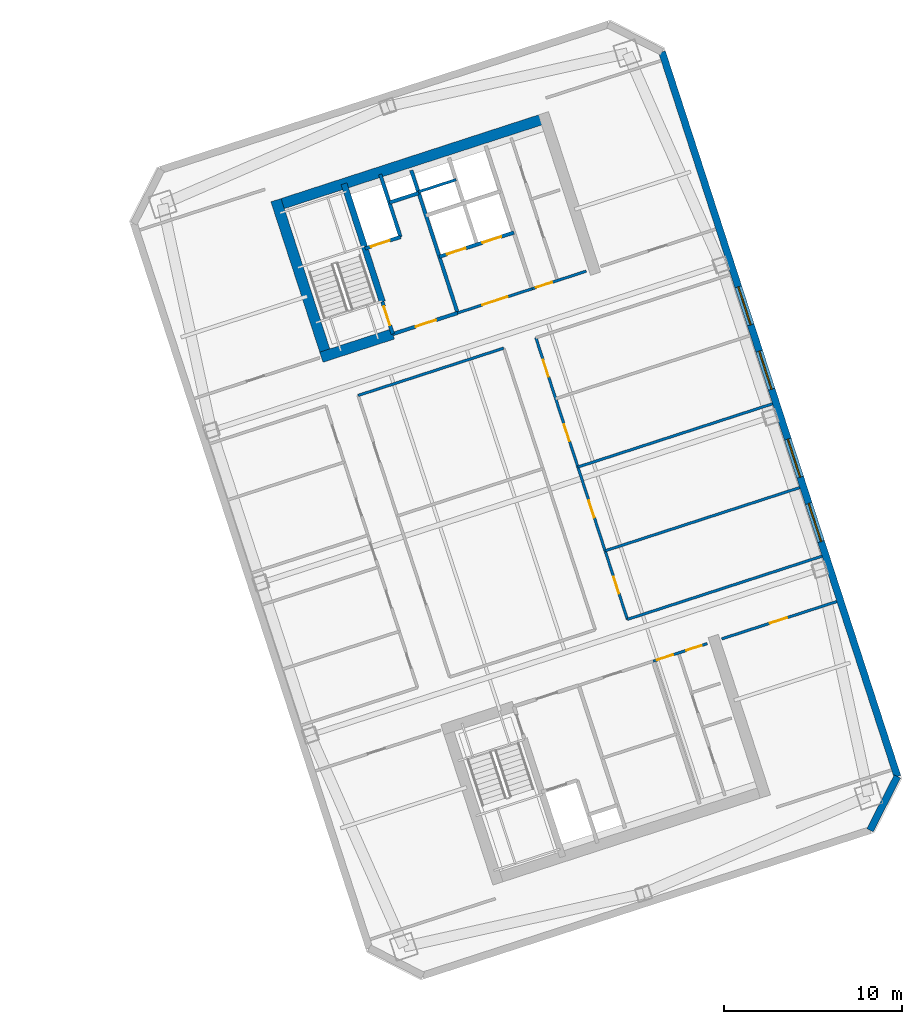
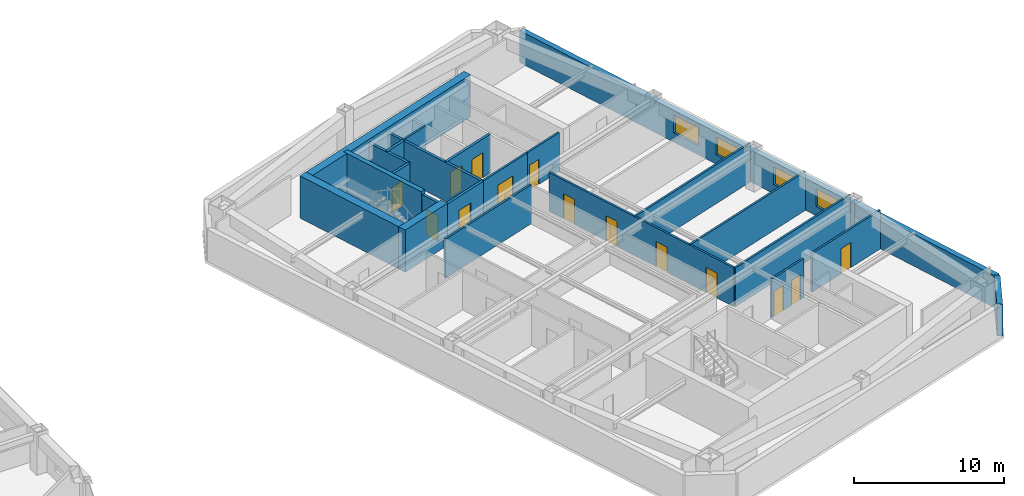
# One storey, part 9 of 13: 23 walls, 14 doors, 4 windows, 18 openings.
"""IFC4 building model written with IfcOpenShell, lengths in metres."""

from ifc_helpers import new_model, si_unit, direction, frame, frame_2d, origin, place, context, subcontext, project, spatial, rectangle, extrude, material, layer, layer_set, type_object, element, fill, save


model = new_model("IFC4")

# Units and contexts
model_context = context("Model", 3, precision=1e-05, world=origin(), true_north=direction((0.0, 1.0)))
body_context = subcontext(model_context, "Body", "Model", "MODEL_VIEW")
ifc_project = project(units=[si_unit("LENGTHUNIT", "METRE"), si_unit("AREAUNIT", "SQUARE_METRE"), si_unit("VOLUMEUNIT", "CUBIC_METRE"), si_unit("PLANEANGLEUNIT", "RADIAN"), si_unit("MASSUNIT", "GRAM", prefix="KILO")], contexts=[model_context])

# Site, building, storey
site_placement = place(None, origin())
site = spatial("IfcSite", under=ifc_project, at=site_placement, CompositionType="ELEMENT")
building_placement = place(site_placement, origin())
building = spatial("IfcBuilding", under=site, at=building_placement, Name="Qiaolan Cultural Towers", CompositionType="ELEMENT")
storey_placement = place(building_placement, frame((0.0, 0.0, 170.199951171875)))
storey = spatial("IfcBuildingStorey", under=building, at=storey_placement, Name="L45", CompositionType="ELEMENT", Elevation=170.199951171875)

# Walls
ifc_material_1 = material(Name="Concrete C50", Category="concrete")
ifc_layer_1 = layer(ifc_material_1, 0.35009765625)
ifc_layer_set_1 = layer_set([ifc_layer_1], Name="Concrete C50")
wall_type_1 = type_object("IfcWallType", Name="WL-CORE-350", PredefinedType="SHEAR", material=ifc_layer_set_1)
wall_1_placement = place(storey_placement, frame((82.513671875, 45.13134765625, 0.0), z_axis=(0.0, 0.0, 1.0), x_axis=(-0.308988790936, 0.951065679686, 0.0)))
element("IfcWall", 1, at=wall_1_placement, inside=storey, type_object=wall_type_1, Name="L45 T2-CN Stair Core Dividing Web", PredefinedType="SHEAR", context=body_context, shape_type="SweptSolid", body=[
    extrude(rectangle(XDim=6.97998046875, YDim=0.35009765625, at=frame_2d((3.489990234375, 0.0))), origin(), (0.0, 0.0, 1.0), 3.449951171875),
])
ifc_material_2 = material(Name="Concrete C55", Category="concrete")
ifc_layer_2 = layer(ifc_material_2, 0.60009765625)
ifc_layer_set_2 = layer_set([ifc_layer_2], Name="Concrete C55")
wall_type_2 = type_object("IfcWallType", Name="WL-CORE-600", PredefinedType="SHEAR", material=ifc_layer_set_2)
wall_2_placement = place(storey_placement, frame((76.343505859375, 50.4658203125, 0.0), z_axis=(0.0, 0.0, 1.0), x_axis=(0.951055727519, 0.309019421968, 0.0)))
element("IfcWall", 2, at=wall_2_placement, inside=storey, type_object=wall_type_2, Name="L45 T2-CN Outer Core Shear Wall", PredefinedType="SHEAR", context=body_context, shape_type="SweptSolid", body=[
    extrude(rectangle(XDim=16.39990234375, YDim=0.60009765625, at=frame_2d((8.199951171875, 0.0))), origin(), (0.0, 0.0, 1.0), 3.449951171875),
])
wall_3_placement = place(storey_placement, frame((79.465576171875, 41.827880859375, 0.0), z_axis=(0.0, 0.0, 1.0), x_axis=(-0.309041232772, 0.951048640421, 0.0)))
element("IfcWall", 3, at=wall_3_placement, inside=storey, type_object=wall_type_2, Name="L45 T2-CN West Core Shear Wall", PredefinedType="SHEAR", context=body_context, shape_type="SweptSolid", body=[
    extrude(rectangle(XDim=9.47998046875, YDim=0.60009765625, at=frame_2d((4.739990234375, 0.0))), origin(), (0.0, 0.0, 1.0), 3.449951171875),
])
wall_4_placement = place(storey_placement, frame((79.08740234375, 42.0205078125, 0.0), z_axis=(0.0, 0.0, 1.0), x_axis=(0.951062550203, 0.3089984233, 0.0)))
element("IfcWall", 4, at=wall_4_placement, inside=storey, type_object=wall_type_2, Name="L45 T2-CN Stair Front Shear Wall", PredefinedType="SHEAR", context=body_context, shape_type="SweptSolid", body=[
    extrude(rectangle(XDim=4.219970703125, YDim=0.60009765625, at=frame_2d((2.10986328125, 0.0))), origin(), (0.0, 0.0, 1.0), 3.449951171875),
])

# Wall, openings, windows
ifc_material_3 = material(Name="Precast Concrete C50 Honed Stone Pier", Category="masonry")
ifc_layer_3 = layer(ifc_material_3, 0.39990234375)
ifc_layer_set_3 = layer_set([ifc_layer_3], Name="Precast Concrete C50 Honed Stone Pier")
wall_type_3 = type_object("IfcWallType", Name="WL-EXT-PIER-400", PredefinedType="SOLIDWALL", material=ifc_layer_set_3)
wall_5_placement = place(storey_placement, frame((98.2236328125, 59.17333984375, 0.0), z_axis=(0.0, 0.0, 1.0), x_axis=(0.309014228706, -0.951057414911, 0.0)))
wall_5 = element("IfcWall", 5, at=wall_5_placement, inside=storey, type_object=wall_type_3, Name="L45 East Tower Precast Pier Facade Wall F5", PredefinedType="SOLIDWALL", context=body_context, shape_type="SweptSolid", body=[
    extrude(rectangle(XDim=42.800048828125, YDim=0.39990234375, at=frame_2d((21.39990234375, 0.0))), origin(), (0.0, 0.0, 1.0), 2.610107421875),
])
opening_1_placement = place(wall_5_placement, frame((26.675048828125, 0.0, 0.75)))
opening_1 = element("IfcOpeningElement", 6, at=opening_1_placement, cuts=wall_5, Name="Opening W-03", PredefinedType="OPENING", context=body_context, shape_type="SweptSolid", body=[
    extrude(rectangle(XDim=2.25, YDim=1.4599609375, at=frame_2d((1.125, 0.72998046875))), frame((0.0, 0.2099609375, 0.0), z_axis=(0.0, -1.0, 0.0), x_axis=(1.0, 0.0, 0.0)), (0.0, 0.0, 1.0), 0.419921875),
])
opening_2_placement = place(wall_5_placement, frame((22.875, 0.0, 0.75)))
opening_2 = element("IfcOpeningElement", 7, at=opening_2_placement, cuts=wall_5, Name="Opening W-03", PredefinedType="OPENING", context=body_context, shape_type="SweptSolid", body=[
    extrude(rectangle(XDim=2.25, YDim=1.4599609375, at=frame_2d((1.125, 0.72998046875))), frame((0.0, 0.2099609375, 0.0), z_axis=(0.0, -1.0, 0.0), x_axis=(1.0, 0.0, 0.0)), (0.0, 0.0, 1.0), 0.419921875),
])
opening_3_placement = place(wall_5_placement, frame((17.675048828125, 0.0, 0.75)))
opening_3 = element("IfcOpeningElement", 8, at=opening_3_placement, cuts=wall_5, Name="Opening W-03", PredefinedType="OPENING", context=body_context, shape_type="SweptSolid", body=[
    extrude(rectangle(XDim=2.25, YDim=1.4599609375, at=frame_2d((1.125, 0.72998046875))), frame((0.0, 0.2099609375, 0.0), z_axis=(0.0, -1.0, 0.0), x_axis=(1.0, 0.0, 0.0)), (0.0, 0.0, 1.0), 0.419921875),
])
opening_4_placement = place(wall_5_placement, frame((13.875, 0.0, 0.75)))
opening_4 = element("IfcOpeningElement", 9, at=opening_4_placement, cuts=wall_5, Name="Opening W-03", PredefinedType="OPENING", context=body_context, shape_type="SweptSolid", body=[
    extrude(rectangle(XDim=2.25, YDim=1.4599609375, at=frame_2d((1.125, 0.72998046875))), frame((0.0, 0.2099609375, 0.0), z_axis=(0.0, -1.0, 0.0), x_axis=(1.0, 0.0, 0.0)), (0.0, 0.0, 1.0), 0.419921875),
])
ifc_material_4 = material(Name="Thermally Broken Aluminium Triple Low-E Glazing", Category="aluminium")
window_type = type_object("IfcWindowType", Name="WN-CHIC-2250", PartitioningType="SINGLE_PANEL", PredefinedType="WINDOW", material=ifc_material_4)
window_1_placement = place(opening_1_placement, origin())
window_1 = element("IfcWindow", 10, at=window_1_placement, inside=storey, type_object=window_type, Name="L45 T2 E Chicago Bay Window 1", OverallHeight=1.4599609375, OverallWidth=2.25, PartitioningType="TRIPLE_PANEL_VERTICAL", PredefinedType="WINDOW", context=body_context, shape_type="SweptSolid", body=[
    extrude(rectangle(XDim=2.25, YDim=1.4599609375, at=frame_2d((1.125, 0.72998046875))), frame((0.0, 0.030029296875, 0.0), z_axis=(0.0, -1.0, 0.0), x_axis=(1.0, 0.0, 0.0)), (0.0, 0.0, 1.0), 0.06005859375),
])
fill(opening_1, window_1)
window_2_placement = place(opening_2_placement, origin())
window_2 = element("IfcWindow", 11, at=window_2_placement, inside=storey, type_object=window_type, Name="L45 T2 E Chicago Bay Window 2", OverallHeight=1.4599609375, OverallWidth=2.25, PartitioningType="TRIPLE_PANEL_VERTICAL", PredefinedType="WINDOW", context=body_context, shape_type="SweptSolid", body=[
    extrude(rectangle(XDim=2.25, YDim=1.4599609375, at=frame_2d((1.125, 0.72998046875))), frame((0.0, 0.030029296875, 0.0), z_axis=(0.0, -1.0, 0.0), x_axis=(1.0, 0.0, 0.0)), (0.0, 0.0, 1.0), 0.06005859375),
])
fill(opening_2, window_2)
window_3_placement = place(opening_3_placement, origin())
window_3 = element("IfcWindow", 12, at=window_3_placement, inside=storey, type_object=window_type, Name="L45 T2 E Chicago Bay Window 3", OverallHeight=1.4599609375, OverallWidth=2.25, PartitioningType="TRIPLE_PANEL_VERTICAL", PredefinedType="WINDOW", context=body_context, shape_type="SweptSolid", body=[
    extrude(rectangle(XDim=2.25, YDim=1.4599609375, at=frame_2d((1.125, 0.72998046875))), frame((0.0, 0.030029296875, 0.0), z_axis=(0.0, -1.0, 0.0), x_axis=(1.0, 0.0, 0.0)), (0.0, 0.0, 1.0), 0.06005859375),
])
fill(opening_3, window_3)
window_4_placement = place(opening_4_placement, origin())
window_4 = element("IfcWindow", 13, at=window_4_placement, inside=storey, type_object=window_type, Name="L45 T2 E Chicago Bay Window 4", OverallHeight=1.4599609375, OverallWidth=2.25, PartitioningType="TRIPLE_PANEL_VERTICAL", PredefinedType="WINDOW", context=body_context, shape_type="SweptSolid", body=[
    extrude(rectangle(XDim=2.25, YDim=1.4599609375, at=frame_2d((1.125, 0.72998046875))), frame((0.0, 0.030029296875, 0.0), z_axis=(0.0, -1.0, 0.0), x_axis=(1.0, 0.0, 0.0)), (0.0, 0.0, 1.0), 0.06005859375),
])
fill(opening_4, window_4)

# Wall
wall_6_placement = place(storey_placement, frame((111.449462890625, 18.468017578125, 0.0), z_axis=(0.0, 0.0, 1.0), x_axis=(-0.454019523198, -0.890991735402, 0.0)))
element("IfcWall", 14, at=wall_6_placement, inside=storey, type_object=wall_type_3, Name="L45 East Tower Precast Pier Facade Wall F6", PredefinedType="SOLIDWALL", context=body_context, shape_type="SweptSolid", body=[
    extrude(rectangle(XDim=3.39404296875, YDim=0.39990234375, at=frame_2d((1.697021484375, 0.0))), origin(), (0.0, 0.0, 1.0), 2.610107421875),
])

# Wall, opening, door
ifc_material_5 = material(Name="Concrete C35 Fire Wall", Category="concrete")
ifc_layer_4 = layer(ifc_material_5, 0.199951171875)
ifc_layer_set_4 = layer_set([ifc_layer_4], Name="Concrete C35 Fire Wall")
wall_type_4 = type_object("IfcWallType", Name="WL-FIRE-200", PredefinedType="PARTITIONING", material=ifc_layer_set_4)
wall_7_placement = place(storey_placement, frame((83.100830078125, 43.324462890625, 0.0), z_axis=(0.0, 0.0, 1.0), x_axis=(-0.309048298632, 0.951046344356, 0.0)))
wall_7 = element("IfcWall", 15, at=wall_7_placement, inside=storey, type_object=wall_type_4, Name="L45 T2-CN Smokeproof Stair Entry Wall", PredefinedType="PARTITIONING", context=body_context, shape_type="SweptSolid", body=[
    extrude(rectangle(XDim=1.89990234375, YDim=0.199951171875, at=frame_2d((0.949951171875, 0.0))), origin(), (0.0, 0.0, 1.0), 3.175048828125),
])
opening_5_placement = place(wall_7_placement, frame((0.52001953125, 0.0, 0.0)))
opening_5 = element("IfcOpeningElement", 16, at=opening_5_placement, cuts=wall_7, Name="Opening FD-04", PredefinedType="OPENING", context=body_context, shape_type="SweptSolid", body=[
    extrude(rectangle(XDim=1.10009765625, YDim=2.050048828125, at=frame_2d((0.550048828125, 1.02490234375))), frame((0.0, 0.10986328125, 0.0), z_axis=(0.0, -1.0, 0.0), x_axis=(1.0, 0.0, 0.0)), (0.0, 0.0, 1.0), 0.219970703125),
])
ifc_material_6 = material(Name="Galvanized Steel Command Fire Door", Category="steel")
door_type_1 = type_object("IfcDoorType", Name="DR-FD90-1100", OperationType="NOTDEFINED", PredefinedType="DOOR", material=ifc_material_6)
door_1_placement = place(opening_5_placement, origin())
door_1 = element("IfcDoor", 17, at=door_1_placement, inside=storey, type_object=door_type_1, Name="L45 ST-E2 Smokeproof Stair Fire Door", OperationType="SINGLE_SWING_LEFT", OverallHeight=2.050048828125, OverallWidth=1.10009765625, PredefinedType="DOOR", context=body_context, shape_type="SweptSolid", body=[
    extrude(rectangle(XDim=1.10009765625, YDim=2.050048828125, at=frame_2d((0.550048828125, 1.02490234375))), frame((0.0, 0.02490234375, 0.0), z_axis=(0.0, -1.0, 0.0), x_axis=(1.0, 0.0, 0.0)), (0.0, 0.0, 1.0), 0.050048828125),
])
fill(opening_5, door_1)

# Wall
wall_8_placement = place(storey_placement, frame((86.743408203125, 44.508056640625, 0.0), z_axis=(0.0, 0.0, 1.0), x_axis=(-0.309016001439, 0.951056838919, 0.0)))
element("IfcWall", 18, at=wall_8_placement, inside=storey, type_object=wall_type_4, Name="L45 T2-CN Firefighting Zone Wall", PredefinedType="PARTITIONING", context=body_context, shape_type="SweptSolid", body=[
    extrude(rectangle(XDim=8.429931640625, YDim=0.199951171875, at=frame_2d((4.21484375, 0.0))), origin(), (0.0, 0.0, 1.0), 3.175048828125),
])

# Wall, opening, door
wall_9_placement = place(storey_placement, frame((83.100830078125, 43.324462890625, 0.0), z_axis=(0.0, 0.0, 1.0), x_axis=(0.951052804469, 0.309028417967, 0.0)))
wall_9 = element("IfcWall", 19, at=wall_9_placement, inside=storey, type_object=wall_type_4, Name="L45 T2-CN Firefighting Lobby Front Wall", PredefinedType="PARTITIONING", context=body_context, shape_type="SweptSolid", body=[
    extrude(rectangle(XDim=3.830078125, YDim=0.199951171875, at=frame_2d((1.9150390625, 0.0))), origin(), (0.0, 0.0, 1.0), 3.175048828125),
])
opening_6_placement = place(wall_9_placement, frame((1.35009765625, 0.0, 0.0)))
opening_6 = element("IfcOpeningElement", 20, at=opening_6_placement, cuts=wall_9, Name="Opening FD-03", PredefinedType="OPENING", context=body_context, shape_type="SweptSolid", body=[
    extrude(rectangle(XDim=1.199951171875, YDim=2.050048828125, at=frame_2d((0.60009765625, 1.02490234375))), frame((0.0, 0.10986328125, 0.0), z_axis=(0.0, -1.0, 0.0), x_axis=(1.0, 0.0, 0.0)), (0.0, 0.0, 1.0), 0.219970703125),
])
ifc_material_7 = material(Name="Galvanized Steel Smokeproof Lobby Fire Door", Category="steel")
door_type_2 = type_object("IfcDoorType", Name="DR-FD90-1200", OperationType="NOTDEFINED", PredefinedType="DOOR", material=ifc_material_7)
door_2_placement = place(opening_6_placement, origin())
door_2 = element("IfcDoor", 21, at=door_2_placement, inside=storey, type_object=door_type_2, Name="L45 FFL-E2 Firefighting Lobby Fire Door", OperationType="SINGLE_SWING_LEFT", OverallHeight=2.050048828125, OverallWidth=1.199951171875, PredefinedType="DOOR", context=body_context, shape_type="SweptSolid", body=[
    extrude(rectangle(XDim=1.199951171875, YDim=2.050048828125, at=frame_2d((0.60009765625, 1.02490234375))), frame((0.0, 0.02490234375, 0.0), z_axis=(0.0, -1.0, 0.0), x_axis=(1.0, 0.0, 0.0)), (0.0, 0.0, 1.0), 0.050048828125),
])
fill(opening_6, door_2)

wall_10_placement = place(storey_placement, frame((81.540283203125, 48.127197265625, 0.0), z_axis=(0.0, 0.0, 1.0), x_axis=(0.951062257173, 0.308999325213, 0.0)))
wall_10 = element("IfcWall", 22, at=wall_10_placement, inside=storey, type_object=wall_type_4, Name="L45 T2-CN Firefighting Shaft Front Wall", PredefinedType="PARTITIONING", context=body_context, shape_type="SweptSolid", body=[
    extrude(rectangle(XDim=2.10009765625, YDim=0.199951171875, at=frame_2d((1.050048828125, 0.0))), origin(), (0.0, 0.0, 1.0), 3.175048828125),
])
opening_7_placement = place(wall_10_placement, frame((0.35009765625, 0.0, 0.0)))
opening_7 = element("IfcOpeningElement", 23, at=opening_7_placement, cuts=wall_10, Name="Opening LD-01", PredefinedType="OPENING", context=body_context, shape_type="SweptSolid", body=[
    extrude(rectangle(XDim=1.10009765625, YDim=2.050048828125, at=frame_2d((0.550048828125, 1.02490234375))), frame((0.0, 0.10986328125, 0.0), z_axis=(0.0, -1.0, 0.0), x_axis=(1.0, 0.0, 0.0)), (0.0, 0.0, 1.0), 0.219970703125),
])
ifc_material_8 = material(Name="Brushed Stainless Steel S30408 Centre-Parting Lift Landing Door", Category="steel")
door_type_3 = type_object("IfcDoorType", Name="DR-LIFT-1100", OperationType="NOTDEFINED", PredefinedType="DOOR", material=ifc_material_8)
door_3_placement = place(opening_7_placement, origin())
door_3 = element("IfcDoor", 24, at=door_3_placement, inside=storey, type_object=door_type_3, Name="L45 FFL-E2 Firefighting Lift Landing Door", OperationType="DOUBLE_DOOR_SLIDING", OverallHeight=2.050048828125, OverallWidth=1.10009765625, PredefinedType="DOOR", context=body_context, shape_type="SweptSolid", body=[
    extrude(rectangle(XDim=1.10009765625, YDim=2.050048828125, at=frame_2d((0.550048828125, 1.02490234375))), frame((0.0, 0.02490234375, 0.0), z_axis=(0.0, -1.0, 0.0), x_axis=(1.0, 0.0, 0.0)), (0.0, 0.0, 1.0), 0.050048828125),
])
fill(opening_7, door_3)

# Walls
wall_11_placement = place(storey_placement, frame((83.53759765625, 48.776123046875, 0.0), z_axis=(0.0, 0.0, 1.0), x_axis=(-0.3089935693, 0.951064127245, 0.0)))
element("IfcWall", 25, at=wall_11_placement, inside=storey, type_object=wall_type_4, Name="L45 T2-CN Firefighting Hoistway East Wall", PredefinedType="PARTITIONING", context=body_context, shape_type="SweptSolid", body=[
    extrude(rectangle(XDim=3.7001953125, YDim=0.199951171875, at=frame_2d((1.85009765625, 0.0))), origin(), (0.0, 0.0, 1.0), 3.175048828125),
])
wall_12_placement = place(storey_placement, frame((82.910400390625, 50.706787109375, 0.0), z_axis=(0.0, 0.0, 1.0), x_axis=(0.951041328149, 0.309063734775, 0.0)))
element("IfcWall", 26, at=wall_12_placement, inside=storey, type_object=wall_type_4, Name="L45 T2-CN Pressurization Shaft Front Wall", PredefinedType="PARTITIONING", context=body_context, shape_type="SweptSolid", body=[
    extrude(rectangle(XDim=1.72998046875, YDim=0.199951171875, at=frame_2d((0.864990234375, 0.0))), origin(), (0.0, 0.0, 1.0), 3.175048828125),
])

# Wall, openings, doors
wall_13_placement = place(storey_placement, frame((85.717529296875, 47.66552734375, 0.0), z_axis=(0.0, 0.0, 1.0), x_axis=(0.951058531764, 0.30901079133, 0.0)))
wall_13 = element("IfcWall", 27, at=wall_13_placement, inside=storey, type_object=wall_type_4, Name="L45 T2-CN Passenger Lift Shaft Front Wall", PredefinedType="PARTITIONING", context=body_context, shape_type="SweptSolid", body=[
    extrude(rectangle(XDim=4.39990234375, YDim=0.199951171875, at=frame_2d((2.199951171875, 0.0))), origin(), (0.0, 0.0, 1.0), 3.175048828125),
])
opening_8_placement = place(wall_13_placement, frame((0.449951171875, 0.0, 0.0)))
opening_8 = element("IfcOpeningElement", 28, at=opening_8_placement, cuts=wall_13, Name="Opening LD-01", PredefinedType="OPENING", context=body_context, shape_type="SweptSolid", body=[
    extrude(rectangle(XDim=1.10009765625, YDim=2.050048828125, at=frame_2d((0.550048828125, 1.02490234375))), frame((0.0, 0.10986328125, 0.0), z_axis=(0.0, -1.0, 0.0), x_axis=(1.0, 0.0, 0.0)), (0.0, 0.0, 1.0), 0.219970703125),
])
opening_9_placement = place(wall_13_placement, frame((2.550048828125, 0.0, 0.0)))
opening_9 = element("IfcOpeningElement", 29, at=opening_9_placement, cuts=wall_13, Name="Opening LD-01", PredefinedType="OPENING", context=body_context, shape_type="SweptSolid", body=[
    extrude(rectangle(XDim=1.10009765625, YDim=2.050048828125, at=frame_2d((0.550048828125, 1.02490234375))), frame((0.0, 0.10986328125, 0.0), z_axis=(0.0, -1.0, 0.0), x_axis=(1.0, 0.0, 0.0)), (0.0, 0.0, 1.0), 0.219970703125),
])
door_4_placement = place(opening_8_placement, origin())
door_4 = element("IfcDoor", 30, at=door_4_placement, inside=storey, type_object=door_type_3, Name="L45 Passenger Lift 1 Landing Door", OperationType="DOUBLE_DOOR_SLIDING", OverallHeight=2.050048828125, OverallWidth=1.10009765625, PredefinedType="DOOR", context=body_context, shape_type="SweptSolid", body=[
    extrude(rectangle(XDim=1.10009765625, YDim=2.050048828125, at=frame_2d((0.550048828125, 1.02490234375))), frame((0.0, 0.02490234375, 0.0), z_axis=(0.0, -1.0, 0.0), x_axis=(1.0, 0.0, 0.0)), (0.0, 0.0, 1.0), 0.050048828125),
])
fill(opening_8, door_4)
door_5_placement = place(opening_9_placement, origin())
door_5 = element("IfcDoor", 31, at=door_5_placement, inside=storey, type_object=door_type_3, Name="L45 Passenger Lift 2 Landing Door", OperationType="DOUBLE_DOOR_SLIDING", OverallHeight=2.050048828125, OverallWidth=1.10009765625, PredefinedType="DOOR", context=body_context, shape_type="SweptSolid", body=[
    extrude(rectangle(XDim=1.10009765625, YDim=2.050048828125, at=frame_2d((0.550048828125, 1.02490234375))), frame((0.0, 0.02490234375, 0.0), z_axis=(0.0, -1.0, 0.0), x_axis=(1.0, 0.0, 0.0)), (0.0, 0.0, 1.0), 0.050048828125),
])
fill(opening_9, door_5)

ifc_material_9 = material(Name="Autoclaved Aerated Concrete Block B06", Category="concrete")
ifc_layer_5 = layer(ifc_material_9, 0.14990234375)
ifc_layer_set_5 = layer_set([ifc_layer_5], Name="Autoclaved Aerated Concrete Block B06")
wall_type_5 = type_object("IfcWallType", Name="WL-PART-150", PredefinedType="PARTITIONING", material=ifc_layer_set_5)
wall_14_placement = place(storey_placement, frame((97.7265625, 24.9443359375, 0.0), z_axis=(0.0, 0.0, 1.0), x_axis=(0.951036872128, 0.309077446369, 0.0)))
wall_14 = element("IfcWall", 32, at=wall_14_placement, inside=storey, type_object=wall_type_5, Name="L45 T2-CS Sanitary Core Front Wall", PredefinedType="PARTITIONING", context=body_context, shape_type="SweptSolid", body=[
    extrude(rectangle(XDim=3.199951171875, YDim=0.14990234375, at=frame_2d((1.60009765625, 0.0))), origin(), (0.0, 0.0, 1.0), 3.175048828125),
])
opening_10_placement = place(wall_14_placement, frame((0.219970703125, 0.0, 0.0)))
opening_10 = element("IfcOpeningElement", 33, at=opening_10_placement, cuts=wall_14, Name="Opening ID-05", PredefinedType="OPENING", context=body_context, shape_type="SweptSolid", body=[
    extrude(rectangle(XDim=0.949951171875, YDim=2.050048828125, at=frame_2d((0.47509765625, 1.02490234375))), frame((0.0, 0.0849609375, 0.0), z_axis=(0.0, -1.0, 0.0), x_axis=(1.0, 0.0, 0.0)), (0.0, 0.0, 1.0), 0.169921875),
])
opening_11_placement = place(wall_14_placement, frame((1.949951171875, 0.0, 0.0)))
opening_11 = element("IfcOpeningElement", 34, at=opening_11_placement, cuts=wall_14, Name="Opening ID-06", PredefinedType="OPENING", context=body_context, shape_type="SweptSolid", body=[
    extrude(rectangle(XDim=0.89990234375, YDim=2.050048828125, at=frame_2d((0.449951171875, 1.02490234375))), frame((0.0, 0.0849609375, 0.0), z_axis=(0.0, -1.0, 0.0), x_axis=(1.0, 0.0, 0.0)), (0.0, 0.0, 1.0), 0.169921875),
])
ifc_material_10 = material(Name="Fire-Rated Laminate Core Service Door", Category="timber")
door_type_4 = type_object("IfcDoorType", Name="DR-INT-900", OperationType="NOTDEFINED", PredefinedType="DOOR", material=ifc_material_10)
door_6_placement = place(opening_11_placement, origin())
door_6 = element("IfcDoor", 35, at=door_6_placement, inside=storey, type_object=door_type_4, Name="L45 Core Tea Pantry Door", OperationType="SINGLE_SWING_RIGHT", OverallHeight=2.050048828125, OverallWidth=0.89990234375, PredefinedType="DOOR", context=body_context, shape_type="SweptSolid", body=[
    extrude(rectangle(XDim=0.89990234375, YDim=2.050048828125, at=frame_2d((0.449951171875, 1.02490234375))), frame((0.0, 0.02490234375, 0.0), z_axis=(0.0, -1.0, 0.0), x_axis=(1.0, 0.0, 0.0)), (0.0, 0.0, 1.0), 0.050048828125),
])
fill(opening_11, door_6)
ifc_material_11 = material(Name="Fire-Rated Laminate Accessible Core Door", Category="timber")
door_type_5 = type_object("IfcDoorType", Name="DR-INT-950", OperationType="NOTDEFINED", PredefinedType="DOOR", material=ifc_material_11)
door_7_placement = place(opening_10_placement, origin())
door_7 = element("IfcDoor", 36, at=door_7_placement, inside=storey, type_object=door_type_5, Name="L45 Sanitary Passage Door", OperationType="SINGLE_SWING_LEFT", OverallHeight=2.050048828125, OverallWidth=0.949951171875, PredefinedType="DOOR", context=body_context, shape_type="SweptSolid", body=[
    extrude(rectangle(XDim=0.949951171875, YDim=2.050048828125, at=frame_2d((0.47509765625, 1.02490234375))), frame((0.0, 0.02490234375, 0.0), z_axis=(0.0, -1.0, 0.0), x_axis=(1.0, 0.0, 0.0)), (0.0, 0.0, 1.0), 0.050048828125),
])
fill(opening_10, door_7)

# Wall, opening, door
wall_15_placement = place(storey_placement, frame((86.743408203125, 44.508056640625, 0.0), z_axis=(0.0, 0.0, 1.0), x_axis=(0.951063829732, 0.308994485023, 0.0)))
wall_15 = element("IfcWall", 37, at=wall_15_placement, inside=storey, type_object=wall_type_5, Name="L45 T2-CN Passenger Lift Lobby Front Wall", PredefinedType="PARTITIONING", context=body_context, shape_type="SweptSolid", body=[
    extrude(rectangle(XDim=4.400146484375, YDim=0.14990234375, at=frame_2d((2.2001953125, 0.0))), origin(), (0.0, 0.0, 1.0), 3.175048828125),
])
opening_12_placement = place(wall_15_placement, frame((1.449951171875, 0.0, 0.0)))
opening_12 = element("IfcOpeningElement", 38, at=opening_12_placement, cuts=wall_15, Name="Opening FD-05", PredefinedType="OPENING", context=body_context, shape_type="SweptSolid", body=[
    extrude(rectangle(XDim=1.5, YDim=2.050048828125, at=frame_2d((0.75, 1.02490234375))), frame((0.0, 0.0849609375, 0.0), z_axis=(0.0, -1.0, 0.0), x_axis=(1.0, 0.0, 0.0)), (0.0, 0.0, 1.0), 0.169921875),
])
ifc_material_12 = material(Name="Painted Steel Lift Lobby Fire Door", Category="steel")
door_type_6 = type_object("IfcDoorType", Name="DR-FD60-1500", OperationType="NOTDEFINED", PredefinedType="DOOR", material=ifc_material_12)
door_8_placement = place(opening_12_placement, origin())
door_8 = element("IfcDoor", 39, at=door_8_placement, inside=storey, type_object=door_type_6, Name="L45 Passenger Lift Lobby Entrance", OperationType="SINGLE_SWING_LEFT", OverallHeight=2.050048828125, OverallWidth=1.5, PredefinedType="DOOR", context=body_context, shape_type="SweptSolid", body=[
    extrude(rectangle(XDim=1.5, YDim=2.050048828125, at=frame_2d((0.75, 1.02490234375))), frame((0.0, 0.02490234375, 0.0), z_axis=(0.0, -1.0, 0.0), x_axis=(1.0, 0.0, 0.0)), (0.0, 0.0, 1.0), 0.050048828125),
])
fill(opening_12, door_8)

# Wall
wall_16_placement = place(storey_placement, frame((84.533935546875, 51.30810546875, 0.0), z_axis=(0.0, 0.0, 1.0), x_axis=(0.951075093106, 0.308959814982, 0.0)))
element("IfcWall", 40, at=wall_16_placement, inside=storey, type_object=wall_type_5, Name="L45 T2-CN Core Rear Riser Split", PredefinedType="PARTITIONING", context=body_context, shape_type="SweptSolid", body=[
    extrude(rectangle(XDim=2.22998046875, YDim=0.14990234375, at=frame_2d((1.114990234375, 0.0))), origin(), (0.0, 0.0, 1.0), 3.175048828125),
])

# Wall, opening, door
wall_17_placement = place(storey_placement, frame((90.92822265625, 45.86767578125, 0.0), z_axis=(0.0, 0.0, 1.0), x_axis=(0.951059297078, 0.309008435874, 0.0)))
wall_17 = element("IfcWall", 41, at=wall_17_placement, inside=storey, type_object=wall_type_5, Name="L45 T2-CN Sanitary Core Front Wall", PredefinedType="PARTITIONING", context=body_context, shape_type="SweptSolid", body=[
    extrude(rectangle(XDim=3.19970703125, YDim=0.14990234375, at=frame_2d((1.599853515625, 0.0))), origin(), (0.0, 0.0, 1.0), 3.175048828125),
])
opening_13_placement = place(wall_17_placement, frame((0.219970703125, 0.0, 0.0)))
opening_13 = element("IfcOpeningElement", 42, at=opening_13_placement, cuts=wall_17, Name="Opening ID-05", PredefinedType="OPENING", context=body_context, shape_type="SweptSolid", body=[
    extrude(rectangle(XDim=0.949951171875, YDim=2.050048828125, at=frame_2d((0.47509765625, 1.02490234375))), frame((0.0, 0.0849609375, 0.0), z_axis=(0.0, -1.0, 0.0), x_axis=(1.0, 0.0, 0.0)), (0.0, 0.0, 1.0), 0.169921875),
])
door_9_placement = place(opening_13_placement, origin())
door_9 = element("IfcDoor", 43, at=door_9_placement, inside=storey, type_object=door_type_5, Name="L45 Sanitary Lobby Door", OperationType="SINGLE_SWING_LEFT", OverallHeight=2.050048828125, OverallWidth=0.949951171875, PredefinedType="DOOR", context=body_context, shape_type="SweptSolid", body=[
    extrude(rectangle(XDim=0.949951171875, YDim=2.050048828125, at=frame_2d((0.47509765625, 1.02490234375))), frame((0.0, 0.02490234375, 0.0), z_axis=(0.0, -1.0, 0.0), x_axis=(1.0, 0.0, 0.0)), (0.0, 0.0, 1.0), 0.050048828125),
])
fill(opening_13, door_9)

wall_18_placement = place(storey_placement, frame((101.578369140625, 26.196044921875, 0.0), z_axis=(0.0, 0.0, 1.0), x_axis=(0.951064934653, 0.308991084134, 0.0)))
wall_18 = element("IfcWall", 44, at=wall_18_placement, inside=storey, type_object=wall_type_5, Name="L45 T2 Flank Front FLK-SE", PredefinedType="PARTITIONING", context=body_context, shape_type="SweptSolid", body=[
    extrude(rectangle(XDim=6.7998046875, YDim=0.14990234375, at=frame_2d((3.39990234375, 0.0))), origin(), (0.0, 0.0, 1.0), 3.175048828125),
])
opening_14_placement = place(wall_18_placement, frame((2.85595703125, 0.0, 0.0)))
opening_14 = element("IfcOpeningElement", 45, at=opening_14_placement, cuts=wall_18, Name="Opening ID-04", PredefinedType="OPENING", context=body_context, shape_type="SweptSolid", body=[
    extrude(rectangle(XDim=1.0, YDim=2.050048828125, at=frame_2d((0.5, 1.02490234375))), frame((0.0, 0.0849609375, 0.0), z_axis=(0.0, -1.0, 0.0), x_axis=(1.0, 0.0, 0.0)), (0.0, 0.0, 1.0), 0.169921875),
])
ifc_material_13 = material(Name="Oak Veneer Acoustic Office Door", Category="timber")
door_type_7 = type_object("IfcDoorType", Name="DR-INT-1000", OperationType="NOTDEFINED", PredefinedType="DOOR", material=ifc_material_13)
door_10_placement = place(opening_14_placement, origin())
door_10 = element("IfcDoor", 46, at=door_10_placement, inside=storey, type_object=door_type_7, Name="L45 T2 Corner Studio Door", OperationType="SINGLE_SWING_LEFT", OverallHeight=2.050048828125, OverallWidth=1.0, PredefinedType="DOOR", context=body_context, shape_type="SweptSolid", body=[
    extrude(rectangle(XDim=1.0, YDim=2.050048828125, at=frame_2d((0.5, 1.02490234375))), frame((0.0, 0.02490234375, 0.0), z_axis=(0.0, -1.0, 0.0), x_axis=(1.0, 0.0, 0.0)), (0.0, 0.0, 1.0), 0.050048828125),
])
fill(opening_14, door_10)

# Walls
wall_19_placement = place(storey_placement, frame((96.280029296875, 27.29248046875, 0.0), z_axis=(0.0, 0.0, 1.0), x_axis=(0.951056999652, 0.309015506751, 0.0)))
element("IfcWall", 47, at=wall_19_placement, inside=storey, type_object=wall_type_5, Name="L45 T2 Interior Wall", PredefinedType="PARTITIONING", context=body_context, shape_type="SweptSolid", body=[
    extrude(rectangle(XDim=11.5, YDim=0.14990234375, at=frame_2d((5.75, 0.0))), origin(), (0.0, 0.0, 1.0), 3.175048828125),
])
wall_20_placement = place(storey_placement, frame((81.152099609375, 39.873291015625, 0.0), z_axis=(0.0, 0.0, 1.0), x_axis=(0.951057640494, 0.309013534425, 0.0)))
element("IfcWall", 48, at=wall_20_placement, inside=storey, type_object=wall_type_5, Name="L45 T2 Interior Wall", PredefinedType="PARTITIONING", context=body_context, shape_type="SweptSolid", body=[
    extrude(rectangle(XDim=8.599853515625, YDim=0.14990234375, at=frame_2d((4.2998046875, 0.0))), origin(), (0.0, 0.0, 1.0), 3.175048828125),
])

# Wall, openings, doors
wall_21_placement = place(storey_placement, frame((96.280029296875, 27.29248046875, 0.0), z_axis=(0.0, 0.0, 1.0), x_axis=(-0.309008771245, 0.951059188113, 0.0)))
wall_21 = element("IfcWall", 49, at=wall_21_placement, inside=storey, type_object=wall_type_5, Name="L45 T2 Interior Wall", PredefinedType="PARTITIONING", context=body_context, shape_type="SweptSolid", body=[
    extrude(rectangle(XDim=16.639892578125, YDim=0.14990234375, at=frame_2d((8.31982421875, 0.0))), origin(), (0.0, 0.0, 1.0), 3.175048828125),
])
opening_15_placement = place(wall_21_placement, frame((1.525634765625, 0.0, 0.0)))
opening_15 = element("IfcOpeningElement", 50, at=opening_15_placement, cuts=wall_21, Name="Opening ID-04", PredefinedType="OPENING", context=body_context, shape_type="SweptSolid", body=[
    extrude(rectangle(XDim=1.0, YDim=2.050048828125, at=frame_2d((0.5, 1.02490234375))), frame((0.0, 0.0849609375, 0.0), z_axis=(0.0, -1.0, 0.0), x_axis=(1.0, 0.0, 0.0)), (0.0, 0.0, 1.0), 0.169921875),
])
opening_16_placement = place(wall_21_placement, frame((6.025634765625, 0.0, 0.0)))
opening_16 = element("IfcOpeningElement", 51, at=opening_16_placement, cuts=wall_21, Name="Opening ID-04", PredefinedType="OPENING", context=body_context, shape_type="SweptSolid", body=[
    extrude(rectangle(XDim=1.0, YDim=2.050048828125, at=frame_2d((0.5, 1.02490234375))), frame((0.0, 0.0849609375, 0.0), z_axis=(0.0, -1.0, 0.0), x_axis=(1.0, 0.0, 0.0)), (0.0, 0.0, 1.0), 0.169921875),
])
opening_17_placement = place(wall_21_placement, frame((10.5185546875, 0.0, 0.0)))
opening_17 = element("IfcOpeningElement", 52, at=opening_17_placement, cuts=wall_21, Name="Opening ID-04", PredefinedType="OPENING", context=body_context, shape_type="SweptSolid", body=[
    extrude(rectangle(XDim=1.0, YDim=2.050048828125, at=frame_2d((0.5, 1.02490234375))), frame((0.0, 0.0849609375, 0.0), z_axis=(0.0, -1.0, 0.0), x_axis=(1.0, 0.0, 0.0)), (0.0, 0.0, 1.0), 0.169921875),
])
opening_18_placement = place(wall_21_placement, frame((14.33837890625, 0.0, 0.0)))
opening_18 = element("IfcOpeningElement", 53, at=opening_18_placement, cuts=wall_21, Name="Opening ID-04", PredefinedType="OPENING", context=body_context, shape_type="SweptSolid", body=[
    extrude(rectangle(XDim=1.0, YDim=2.050048828125, at=frame_2d((0.5, 1.02490234375))), frame((0.0, 0.0849609375, 0.0), z_axis=(0.0, -1.0, 0.0), x_axis=(1.0, 0.0, 0.0)), (0.0, 0.0, 1.0), 0.169921875),
])
door_11_placement = place(opening_15_placement, origin())
door_11 = element("IfcDoor", 54, at=door_11_placement, inside=storey, type_object=door_type_7, Name="L45 T2 Private Office Door", OperationType="SINGLE_SWING_RIGHT", OverallHeight=2.050048828125, OverallWidth=1.0, PredefinedType="DOOR", context=body_context, shape_type="SweptSolid", body=[
    extrude(rectangle(XDim=1.0, YDim=2.050048828125, at=frame_2d((0.5, 1.02490234375))), frame((0.0, 0.02490234375, 0.0), z_axis=(0.0, -1.0, 0.0), x_axis=(1.0, 0.0, 0.0)), (0.0, 0.0, 1.0), 0.050048828125),
])
fill(opening_15, door_11)
door_12_placement = place(opening_16_placement, origin())
door_12 = element("IfcDoor", 55, at=door_12_placement, inside=storey, type_object=door_type_7, Name="L45 T2 Private Office Door", OperationType="SINGLE_SWING_LEFT", OverallHeight=2.050048828125, OverallWidth=1.0, PredefinedType="DOOR", context=body_context, shape_type="SweptSolid", body=[
    extrude(rectangle(XDim=1.0, YDim=2.050048828125, at=frame_2d((0.5, 1.02490234375))), frame((0.0, 0.02490234375, 0.0), z_axis=(0.0, -1.0, 0.0), x_axis=(1.0, 0.0, 0.0)), (0.0, 0.0, 1.0), 0.050048828125),
])
fill(opening_16, door_12)
door_13_placement = place(opening_17_placement, origin())
door_13 = element("IfcDoor", 56, at=door_13_placement, inside=storey, type_object=door_type_7, Name="L45 T2 Occupational Health Room Door", OperationType="SINGLE_SWING_RIGHT", OverallHeight=2.050048828125, OverallWidth=1.0, PredefinedType="DOOR", context=body_context, shape_type="SweptSolid", body=[
    extrude(rectangle(XDim=1.0, YDim=2.050048828125, at=frame_2d((0.5, 1.02490234375))), frame((0.0, 0.02490234375, 0.0), z_axis=(0.0, -1.0, 0.0), x_axis=(1.0, 0.0, 0.0)), (0.0, 0.0, 1.0), 0.050048828125),
])
fill(opening_17, door_13)
door_14_placement = place(opening_18_placement, origin())
door_14 = element("IfcDoor", 57, at=door_14_placement, inside=storey, type_object=door_type_7, Name="L45 T2 Catering Kitchen Door", OperationType="SINGLE_SWING_LEFT", OverallHeight=2.050048828125, OverallWidth=1.0, PredefinedType="DOOR", context=body_context, shape_type="SweptSolid", body=[
    extrude(rectangle(XDim=1.0, YDim=2.050048828125, at=frame_2d((0.5, 1.02490234375))), frame((0.0, 0.02490234375, 0.0), z_axis=(0.0, -1.0, 0.0), x_axis=(1.0, 0.0, 0.0)), (0.0, 0.0, 1.0), 0.050048828125),
])
fill(opening_18, door_14)

# Walls
wall_22_placement = place(storey_placement, frame((95.028076171875, 31.1455078125, 0.0), z_axis=(0.0, 0.0, 1.0), x_axis=(0.951056999652, 0.309015506751, 0.0)))
element("IfcWall", 58, at=wall_22_placement, inside=storey, type_object=wall_type_5, Name="L45 T2 Interior Wall", PredefinedType="PARTITIONING", context=body_context, shape_type="SweptSolid", body=[
    extrude(rectangle(XDim=11.5, YDim=0.14990234375, at=frame_2d((5.75, 0.0))), origin(), (0.0, 0.0, 1.0), 3.175048828125),
])
wall_23_placement = place(storey_placement, frame((93.4990234375, 35.851806640625, 0.0), z_axis=(0.0, 0.0, 1.0), x_axis=(0.951054972381, 0.309021746015, 0.0)))
element("IfcWall", 59, at=wall_23_placement, inside=storey, type_object=wall_type_5, Name="L45 T2 Interior Wall", PredefinedType="PARTITIONING", context=body_context, shape_type="SweptSolid", body=[
    extrude(rectangle(XDim=11.499755859375, YDim=0.14990234375, at=frame_2d((5.75, 0.0))), origin(), (0.0, 0.0, 1.0), 3.175048828125),
])

save(model, "model.ifc")
